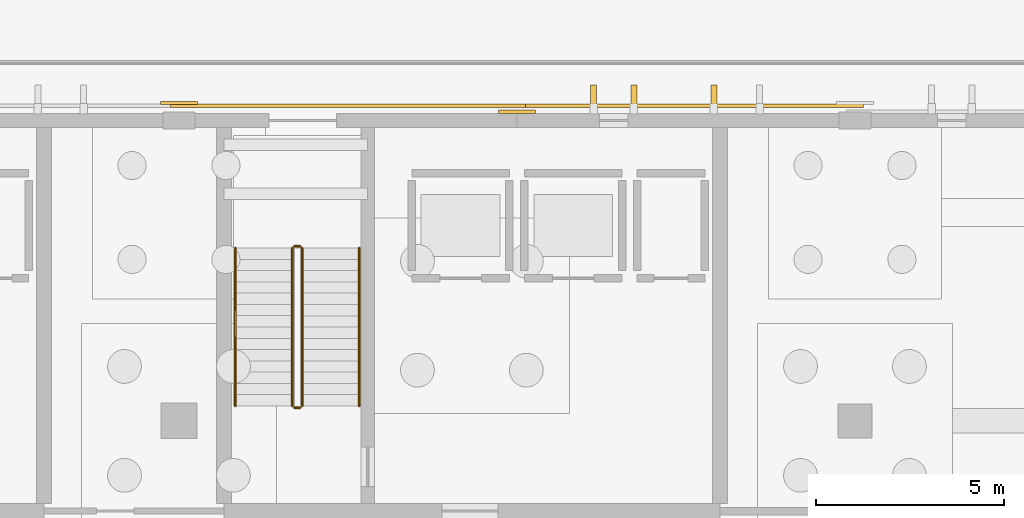
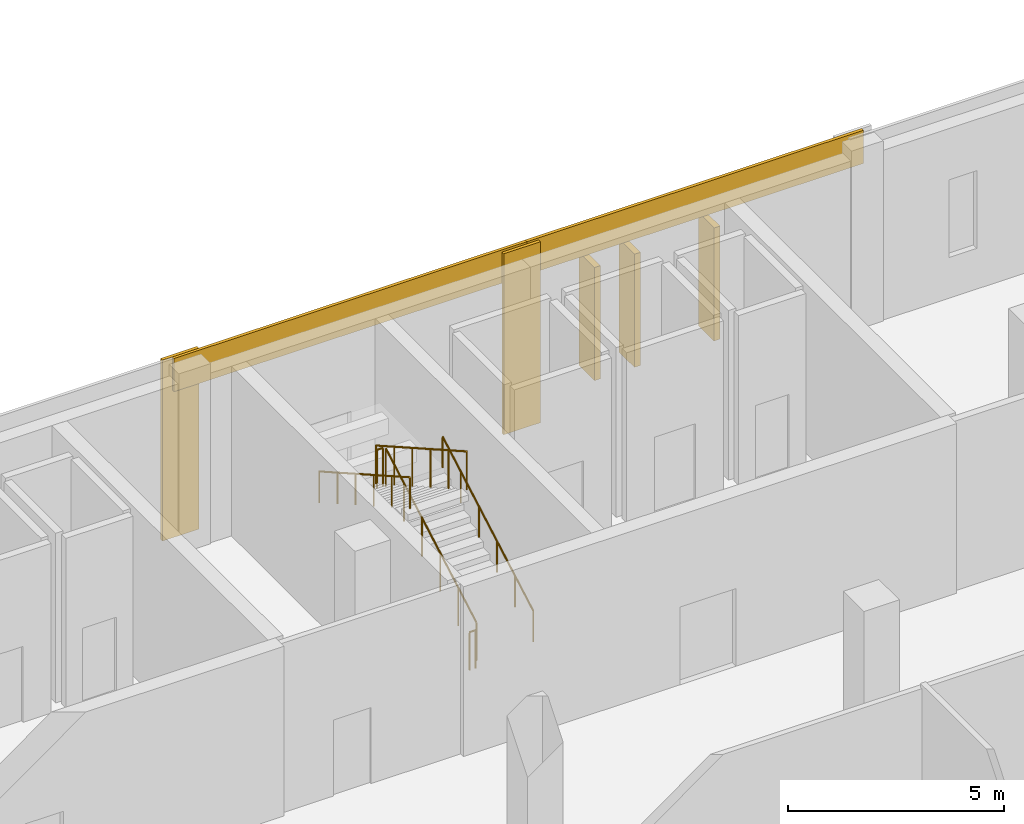
# One storey, part 89 of 94: 6 railings, 4 coverings, 3 shading devices.
"""IFC4 building model written with IfcOpenShell, lengths in metres."""

from ifc_helpers import new_model, si_unit, direction, frame, origin, origin_2d, place, context, subcontext, project, spatial, rectangle, circle, extrude, material, layer, layer_set, type_object, element, save


model = new_model("IFC4")

# Units and contexts
model_context = context("Model", 3, precision=1e-05, world=origin(), true_north=direction((0.0, 1.0)))
body_context = subcontext(model_context, "Body", "Model", "MODEL_VIEW")
ifc_project = project(units=[si_unit("LENGTHUNIT", "METRE"), si_unit("AREAUNIT", "SQUARE_METRE"), si_unit("VOLUMEUNIT", "CUBIC_METRE"), si_unit("PLANEANGLEUNIT", "RADIAN"), si_unit("MASSUNIT", "GRAM", prefix="KILO")], contexts=[model_context])

# Site, building, storey
site_placement = place(None, origin())
site = spatial("IfcSite", under=ifc_project, at=site_placement, CompositionType="ELEMENT")
building_placement = place(site_placement, origin())
building = spatial("IfcBuilding", under=site, at=building_placement, Name="Vervanel Yard Central Library", CompositionType="ELEMENT")
storey_placement = place(building_placement, origin())
storey = spatial("IfcBuildingStorey", under=building, at=storey_placement, Name="L00", CompositionType="ELEMENT", Elevation=0.0)

# Railings
ifc_material_1 = material(Name="Brushed stainless steel AISI 316", Category="steel")
railing_type_1 = type_object("IfcRailingType", Name="Brushed Stainless Stair Handrail 900", PredefinedType="HANDRAIL", material=ifc_material_1)
railing_1_placement = place(storey_placement, frame((67.800048828125, 106.39990234375, 0.169921875)))
element("IfcRailing", 1, at=railing_1_placement, inside=storey, type_object=railing_type_1, Name="L00 ST-02 stair handrail 1", PredefinedType="HANDRAIL", context=body_context, shape_type="SweptSolid", body=[
    extrude(circle(Radius=0.02392578125, at=origin_2d()), frame((0.0, 0.0, 0.8759765625), z_axis=(0.0, 0.870020739749, 0.493015123914), x_axis=(-1.0, 0.0, 0.0)), (0.0, 0.0, 1.0), 4.82763671875),
    extrude(circle(Radius=0.02099609375, at=origin_2d()), origin(), (0.0, 0.0, 1.0), 0.851806640625),
    extrude(circle(Radius=0.02099609375, at=origin_2d()), frame((0.0, 0.840087890625, 0.47607421875)), (0.0, 0.0, 1.0), 0.851806640625),
    extrude(circle(Radius=0.02099609375, at=origin_2d()), frame((0.0, 1.68017578125, 0.9521484375)), (0.0, 0.0, 1.0), 0.851806640625),
    extrude(circle(Radius=0.02099609375, at=origin_2d()), frame((0.0, 2.52001953125, 1.427978515625)), (0.0, 0.0, 1.0), 0.851806640625),
    extrude(circle(Radius=0.02099609375, at=origin_2d()), frame((0.0, 3.360107421875, 1.904052734375)), (0.0, 0.0, 1.0), 0.851806640625),
    extrude(circle(Radius=0.02099609375, at=origin_2d()), frame((0.0, 4.2001953125, 2.380126953125)), (0.0, 0.0, 1.0), 0.851806640625),
])
railing_2_placement = place(storey_placement, frame((64.5, 110.60009765625, 2.719970703125)))
element("IfcRailing", 2, at=railing_2_placement, inside=storey, type_object=railing_type_1, Name="L00 ST-02 stair handrail 2", PredefinedType="HANDRAIL", context=body_context, shape_type="SweptSolid", body=[
    extrude(circle(Radius=0.02392578125, at=origin_2d()), frame((0.0, 0.0, 0.8759765625), z_axis=(0.0, -0.870020739749, 0.493015123914), x_axis=(1.0, 0.0, 0.0)), (0.0, 0.0, 1.0), 4.82763671875),
    extrude(circle(Radius=0.02099609375, at=origin_2d()), origin(), (0.0, 0.0, 1.0), 0.851806640625),
    extrude(circle(Radius=0.02099609375, at=origin_2d()), frame((0.0, -0.840087890625, 0.47607421875)), (0.0, 0.0, 1.0), 0.851806640625),
    extrude(circle(Radius=0.02099609375, at=origin_2d()), frame((0.0, -1.68017578125, 0.9521484375)), (0.0, 0.0, 1.0), 0.851806640625),
    extrude(circle(Radius=0.02099609375, at=origin_2d()), frame((0.0, -2.52001953125, 1.427978515625)), (0.0, 0.0, 1.0), 0.851806640625),
    extrude(circle(Radius=0.02099609375, at=origin_2d()), frame((0.0, -3.360107421875, 1.904052734375)), (0.0, 0.0, 1.0), 0.851806640625),
    extrude(circle(Radius=0.02099609375, at=origin_2d()), frame((0.0, -4.2001953125, 2.380126953125)), (0.0, 0.0, 1.0), 0.851806640625),
])

# Coverings
ifc_material_2 = material(Name="Precast concrete C45/55", Category="concrete")
ifc_layer = layer(ifc_material_2, 0.0849609375, Category="concrete")
ifc_layer_set = layer_set([ifc_layer], Name="Precast concrete C45/55")
covering_type = type_object("IfcCoveringType", Name="Bush-Hammered Precast Architectural Cladding Panel", PredefinedType="CLADDING", material=ifc_layer_set)
covering_1_placement = place(storey_placement, frame((63.0, 114.467529296875, 0.0), z_axis=(0.0, 0.0, 1.0), x_axis=(1.0, 0.0, 0.0)))
element("IfcCovering", 3, at=covering_1_placement, inside=storey, type_object=covering_type, Name="L00 Precast Concrete Pier Pilaster EWALL-L00-0003-B", PredefinedType="CLADDING", context=body_context, shape_type="SweptSolid", body=[
    extrude(rectangle(XDim=0.97998046875, YDim=0.0849609375, at=origin_2d()), origin(), (0.0, 0.0, 1.0), 5.1201171875),
])
covering_2_placement = place(storey_placement, frame((67.5, 114.389892578125, 4.179931640625), z_axis=(0.0, 0.0, 1.0), x_axis=(1.0, 0.0, 0.0)))
element("IfcCovering", 4, at=covering_2_placement, inside=storey, type_object=covering_type, Name="L00 Precast Concrete Spandrel Cornice EWALL-L00-0004", PredefinedType="CLADDING", context=body_context, shape_type="SweptSolid", body=[
    extrude(rectangle(XDim=9.449951171875, YDim=0.0849609375, at=origin_2d()), origin(), (0.0, 0.0, 1.0), 0.93994140625),
])
covering_3_placement = place(storey_placement, frame((72.0, 114.232421875, 0.0), z_axis=(0.0, 0.0, 1.0), x_axis=(1.0, 0.0, 0.0)))
element("IfcCovering", 5, at=covering_3_placement, inside=storey, type_object=covering_type, Name="L00 Precast Concrete Pier Pilaster EWALL-L00-0004-B", PredefinedType="CLADDING", context=body_context, shape_type="SweptSolid", body=[
    extrude(rectangle(XDim=0.97998046875, YDim=0.0849609375, at=origin_2d()), origin(), (0.0, 0.0, 1.0), 5.1201171875),
])
covering_4_placement = place(storey_placement, frame((76.5, 114.389892578125, 4.179931640625), z_axis=(0.0, 0.0, 1.0), x_axis=(1.0, 0.0, 0.0)))
element("IfcCovering", 6, at=covering_4_placement, inside=storey, type_object=covering_type, Name="L00 Precast Concrete Spandrel Cornice EWALL-L00-0005", PredefinedType="CLADDING", context=body_context, shape_type="SweptSolid", body=[
    extrude(rectangle(XDim=9.449951171875, YDim=0.0849609375, at=origin_2d()), origin(), (0.0, 0.0, 1.0), 0.93994140625),
])

# Railings
ifc_material_3 = material(Name="Galvanized painted steelwork ASTM A500 Grade C", Category="steel")
railing_type_2 = type_object("IfcRailingType", Name="Painted Steel Guardrail 1100", PredefinedType="GUARDRAIL", material=ifc_material_3)
railing_3_placement = place(storey_placement, frame((66.280029296875, 106.39990234375, 0.169921875)))
element("IfcRailing", 7, at=railing_3_placement, inside=storey, type_object=railing_type_2, Name="L00 ST-02 stair guard 1", PredefinedType="GUARDRAIL", context=body_context, shape_type="SweptSolid", body=[
    extrude(circle(Radius=0.02392578125, at=origin_2d()), frame((0.0, 0.0, 1.076171875), z_axis=(0.0, 0.870020739749, 0.493015123914), x_axis=(-1.0, 0.0, 0.0)), (0.0, 0.0, 1.0), 4.82763671875),
    extrude(circle(Radius=0.02099609375, at=origin_2d()), origin(), (0.0, 0.0, 1.0), 1.052001953125),
    extrude(circle(Radius=0.02099609375, at=origin_2d()), frame((0.0, 0.840087890625, 0.47607421875)), (0.0, 0.0, 1.0), 1.052001953125),
    extrude(circle(Radius=0.02099609375, at=origin_2d()), frame((0.0, 1.68017578125, 0.9521484375)), (0.0, 0.0, 1.0), 1.052001953125),
    extrude(circle(Radius=0.02099609375, at=origin_2d()), frame((0.0, 2.52001953125, 1.427978515625)), (0.0, 0.0, 1.0), 1.052001953125),
    extrude(circle(Radius=0.02099609375, at=origin_2d()), frame((0.0, 3.360107421875, 1.904052734375)), (0.0, 0.0, 1.0), 1.052001953125),
    extrude(circle(Radius=0.02099609375, at=origin_2d()), frame((0.0, 4.2001953125, 2.380126953125)), (0.0, 0.0, 1.0), 1.052001953125),
])
railing_4_placement = place(storey_placement, frame((66.22998046875, 110.64990234375, 2.550048828125)))
element("IfcRailing", 8, at=railing_4_placement, inside=storey, type_object=railing_type_2, Name="L00 ST-02 stair guard 2", PredefinedType="GUARDRAIL", context=body_context, shape_type="SweptSolid", body=[
    extrude(circle(Radius=0.02392578125, at=origin_2d()), frame((0.0, 0.0, 1.076171875), z_axis=(-1.0, 0.0, 0.0), x_axis=(0.0, -1.0, 0.0)), (0.0, 0.0, 1.0), 0.159912109375),
    extrude(circle(Radius=0.02099609375, at=origin_2d()), origin(), (0.0, 0.0, 1.0), 1.052001953125),
    extrude(circle(Radius=0.02099609375, at=origin_2d()), frame((-0.159912109375, 0.0, 0.0)), (0.0, 0.0, 1.0), 1.052001953125),
])
railing_5_placement = place(storey_placement, frame((66.02001953125, 110.60009765625, 2.719970703125)))
element("IfcRailing", 9, at=railing_5_placement, inside=storey, type_object=railing_type_2, Name="L00 ST-02 stair guard 3", PredefinedType="GUARDRAIL", context=body_context, shape_type="SweptSolid", body=[
    extrude(circle(Radius=0.02392578125, at=origin_2d()), frame((0.0, 0.0, 1.076171875), z_axis=(0.0, -0.870020739749, 0.493015123914), x_axis=(1.0, 0.0, 0.0)), (0.0, 0.0, 1.0), 4.82763671875),
    extrude(circle(Radius=0.02099609375, at=origin_2d()), origin(), (0.0, 0.0, 1.0), 1.052001953125),
    extrude(circle(Radius=0.02099609375, at=origin_2d()), frame((0.0, -0.840087890625, 0.47607421875)), (0.0, 0.0, 1.0), 1.052001953125),
    extrude(circle(Radius=0.02099609375, at=origin_2d()), frame((0.0, -1.68017578125, 0.9521484375)), (0.0, 0.0, 1.0), 1.052001953125),
    extrude(circle(Radius=0.02099609375, at=origin_2d()), frame((0.0, -2.52001953125, 1.427978515625)), (0.0, 0.0, 1.0), 1.052001953125),
    extrude(circle(Radius=0.02099609375, at=origin_2d()), frame((0.0, -3.360107421875, 1.904052734375)), (0.0, 0.0, 1.0), 1.052001953125),
    extrude(circle(Radius=0.02099609375, at=origin_2d()), frame((0.0, -4.2001953125, 2.380126953125)), (0.0, 0.0, 1.0), 1.052001953125),
])
railing_6_placement = place(storey_placement, frame((66.22998046875, 106.35009765625, 0.0)))
element("IfcRailing", 10, at=railing_6_placement, inside=storey, type_object=railing_type_2, Name="L00 ST-02 stair guard 4", PredefinedType="GUARDRAIL", context=body_context, shape_type="SweptSolid", body=[
    extrude(circle(Radius=0.02392578125, at=origin_2d()), frame((0.0, 0.0, 1.076171875), z_axis=(-1.0, 0.0, 0.0), x_axis=(0.0, -1.0, 0.0)), (0.0, 0.0, 1.0), 0.159912109375),
    extrude(circle(Radius=0.02099609375, at=origin_2d()), origin(), (0.0, 0.0, 1.0), 1.052001953125),
    extrude(circle(Radius=0.02099609375, at=origin_2d()), frame((-0.159912109375, 0.0, 0.0)), (0.0, 0.0, 1.0), 1.052001953125),
])

# Shading devices
shading_device_type = type_object("IfcShadingDeviceType", Name="Vertical Precast Solar Fin 160x720x3200", PredefinedType="JALOUSIE", material=ifc_material_2)
for number, where, z_axis, x_axis, name in (
    (11, (74.0400390625, 114.590087890625, 0.64990234375), (0.0, 0.0, 1.0), (1.0, 0.0, 0.0), "L00 Precast Solar Fin 9"),
    (12, (75.110107421875, 114.590087890625, 0.64990234375), (0.0, 0.0, 1.0), (1.0, 0.0, 0.0), "L00 Precast Solar Fin 10"),
    (13, (77.239990234375, 114.590087890625, 0.64990234375), (0.0, 0.0, 1.0), (1.0, 0.0, 0.0), "L00 Precast Solar Fin 11"),
):
    element("IfcShadingDevice", number, at=place(storey_placement, frame(where, z_axis=z_axis, x_axis=x_axis)), inside=storey, type_object=shading_device_type, Name=name, PredefinedType="JALOUSIE", context=body_context, shape_type="SweptSolid", body=[
        extrude(rectangle(XDim=0.159912109375, YDim=0.719970703125, at=origin_2d()), origin(), (0.0, 0.0, 1.0), 3.199951171875),
    ])

save(model, "model.ifc")
